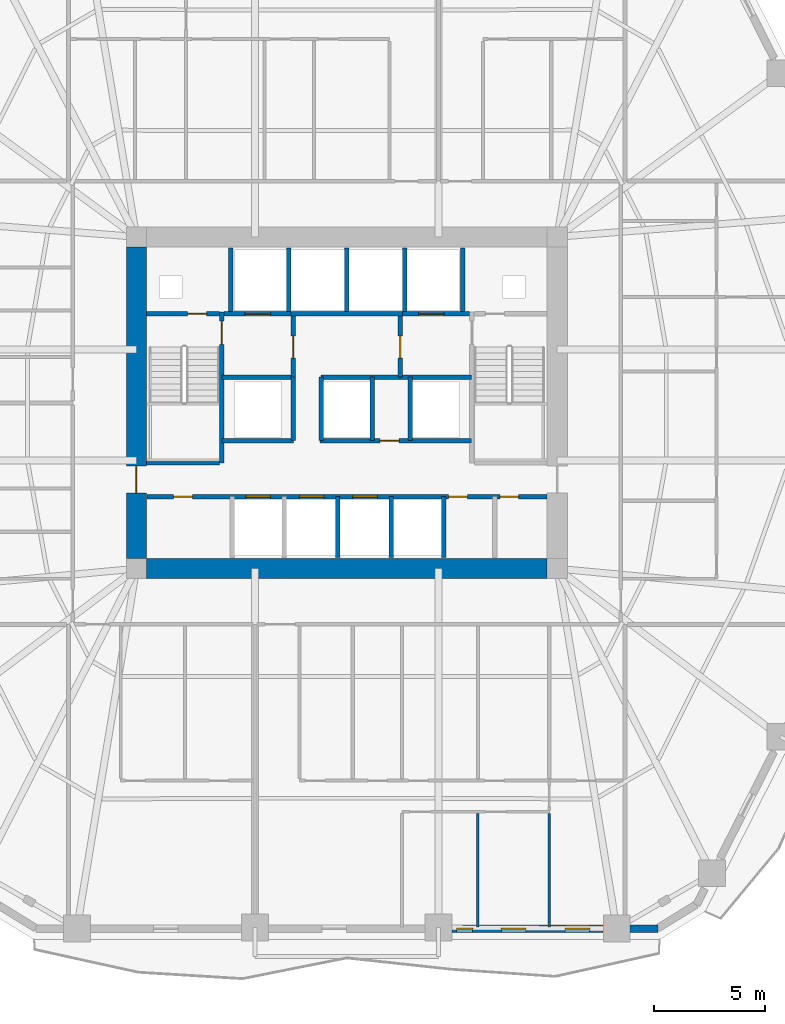
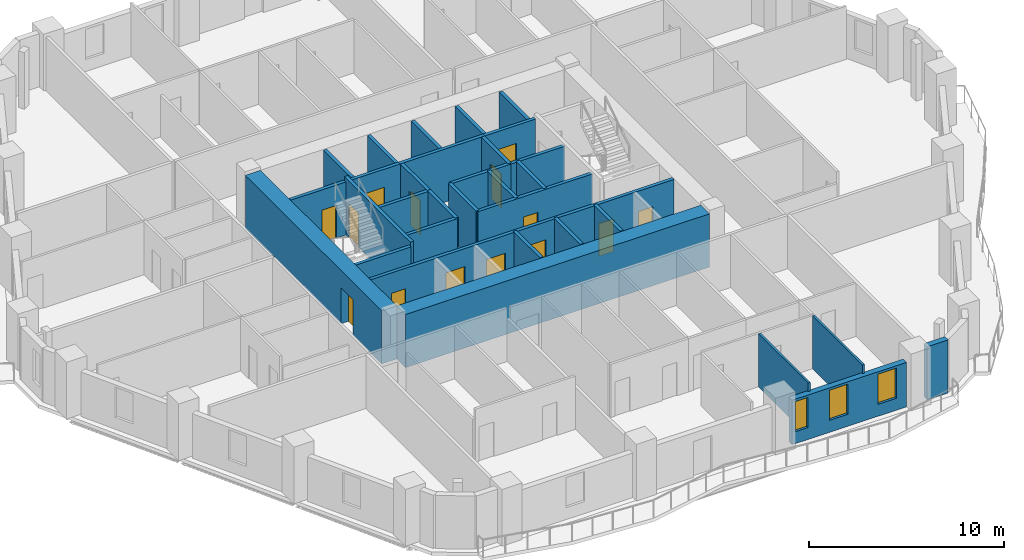
# One storey, part 5 of 12: 32 walls, 14 doors, 3 windows, 17 openings.
"""IFC4 building model written with IfcOpenShell, lengths in metres."""

from ifc_helpers import new_model, si_unit, direction, frame, frame_2d, origin, place, context, subcontext, project, spatial, rectangle, extrude, material, layer, layer_set, type_object, element, fill, save


model = new_model("IFC4")

# Units and contexts
model_context = context("Model", 3, precision=1e-05, world=origin(), true_north=direction((0.0, 1.0)))
body_context = subcontext(model_context, "Body", "Model", "MODEL_VIEW")
ifc_project = project(units=[si_unit("LENGTHUNIT", "METRE"), si_unit("AREAUNIT", "SQUARE_METRE"), si_unit("VOLUMEUNIT", "CUBIC_METRE"), si_unit("PLANEANGLEUNIT", "RADIAN"), si_unit("MASSUNIT", "GRAM", prefix="KILO")], contexts=[model_context])

# Site, building, storey
site_placement = place(None, origin())
site = spatial("IfcSite", under=ifc_project, at=site_placement, CompositionType="ELEMENT")
building_placement = place(site_placement, origin())
building = spatial("IfcBuilding", under=site, at=building_placement, Name="Cinnabar Lancet Tower", CompositionType="ELEMENT")
storey_placement = place(building_placement, frame((0.0, 0.0, 32.0)))
storey = spatial("IfcBuildingStorey", under=building, at=storey_placement, Name="L07", CompositionType="ELEMENT", Elevation=32.0)

# Wall
ifc_material_1 = material(Name="Autoclaved aerated concrete blockwork", Category="masonry")
ifc_layer_1 = layer(ifc_material_1, 0.199951171875)
ifc_layer_set_1 = layer_set([ifc_layer_1], Name="Autoclaved aerated concrete blockwork")
wall_type_1 = type_object("IfcWallType", Name="ARC-WL-SHAFT-200", PredefinedType="PLUMBINGWALL", material=ifc_layer_set_1)
wall_1_placement = place(storey_placement, frame((23.405029296875, 23.199951171875, 0.0), z_axis=(0.0, 0.0, 1.0), x_axis=(1.0, 0.0, 0.0)))
element("IfcWall", 1, at=wall_1_placement, inside=storey, type_object=wall_type_1, Name="CW-ST1S-L07", PredefinedType="PLUMBINGWALL", context=body_context, shape_type="SweptSolid", body=[
    extrude(rectangle(XDim=3.27001953125, YDim=0.199951171875, at=frame_2d((1.635009765625, 0.0))), origin(), (0.0, 0.0, 1.0), 3.330078125),
])

# Wall, opening, door
wall_2_placement = place(storey_placement, frame((23.405029296875, 29.89990234375, 0.0), z_axis=(0.0, 0.0, 1.0), x_axis=(1.0, 0.0, 0.0)))
wall_2 = element("IfcWall", 2, at=wall_2_placement, inside=storey, type_object=wall_type_1, Name="CW-NSH-W-L07", PredefinedType="PLUMBINGWALL", context=body_context, shape_type="SweptSolid", body=[
    extrude(rectangle(XDim=3.27001953125, YDim=0.199951171875, at=frame_2d((1.635009765625, 0.0))), origin(), (0.0, 0.0, 1.0), 3.330078125),
])
opening_1_placement = place(wall_2_placement, frame((1.85009765625, 0.0, 0.0)))
opening_1 = element("IfcOpeningElement", 3, at=opening_1_placement, cuts=wall_2, Name="Opening PD-02", PredefinedType="OPENING", context=body_context, shape_type="SweptSolid", body=[
    extrude(rectangle(XDim=0.85009765625, YDim=2.050048828125, at=frame_2d((0.425048828125, 1.02490234375))), frame((0.0, 0.10986328125, 0.0), z_axis=(0.0, -1.0, 0.0), x_axis=(1.0, 0.0, 0.0)), (0.0, 0.0, 1.0), 0.219970703125),
])
ifc_material_2 = material(Name="Fire-rated steel riser access door", Category="steel")
door_type_1 = type_object("IfcDoorType", Name="ARC-DR-RISER", OperationType="NOTDEFINED", PredefinedType="DOOR", material=ifc_material_2)
door_1_placement = place(opening_1_placement, origin())
door_1 = element("IfcDoor", 4, at=door_1_placement, inside=storey, type_object=door_type_1, Name="L07 West Riser Access Door", OperationType="SINGLE_SWING_LEFT", OverallHeight=2.050048828125, OverallWidth=0.85009765625, PredefinedType="DOOR", context=body_context, shape_type="SweptSolid", body=[
    extrude(rectangle(XDim=0.85009765625, YDim=2.050048828125, at=frame_2d((0.425048828125, 1.02490234375))), frame((0.0, 0.02490234375, 0.0), z_axis=(0.0, -1.0, 0.0), x_axis=(1.0, 0.0, 0.0)), (0.0, 0.0, 1.0), 0.050048828125),
])
fill(opening_1, door_1)

wall_3_placement = place(storey_placement, frame((26.885009765625, 29.89990234375, 0.0), z_axis=(0.0, 0.0, 1.0), x_axis=(1.0, 0.0, 0.0)))
wall_3 = element("IfcWall", 5, at=wall_3_placement, inside=storey, type_object=wall_type_1, Name="CW-FL1-L07", PredefinedType="PLUMBINGWALL", context=body_context, shape_type="SweptSolid", body=[
    extrude(rectangle(XDim=3.014892578125, YDim=0.199951171875, at=frame_2d((1.50732421875, 0.0))), origin(), (0.0, 0.0, 1.0), 3.330078125),
])
opening_2_placement = place(wall_3_placement, frame((0.93994140625, 0.0, 0.0)))
opening_2 = element("IfcOpeningElement", 6, at=opening_2_placement, cuts=wall_3, Name="Opening LD-02", PredefinedType="OPENING", context=body_context, shape_type="SweptSolid", body=[
    extrude(rectangle(XDim=1.14990234375, YDim=2.199951171875, at=frame_2d((0.574951171875, 1.10009765625))), frame((0.0, 0.10986328125, 0.0), z_axis=(0.0, -1.0, 0.0), x_axis=(1.0, 0.0, 0.0)), (0.0, 0.0, 1.0), 0.219970703125),
])
ifc_material_3 = material(Name="Fire-rated stainless steel firefighting lift landing door", Category="steel")
door_type_2 = type_object("IfcDoorType", Name="ARC-DR-LD-FIRE", OperationType="NOTDEFINED", PredefinedType="DOOR", material=ifc_material_3)
door_2_placement = place(opening_2_placement, origin())
door_2 = element("IfcDoor", 7, at=door_2_placement, inside=storey, type_object=door_type_2, Name="L07 Firefighting Lift FL-1 Landing Door", OperationType="DOUBLE_DOOR_SLIDING", OverallHeight=2.199951171875, OverallWidth=1.14990234375, PredefinedType="DOOR", context=body_context, shape_type="SweptSolid", body=[
    extrude(rectangle(XDim=1.14990234375, YDim=2.199951171875, at=frame_2d((0.574951171875, 1.10009765625))), frame((0.0, 0.02490234375, 0.0), z_axis=(0.0, -1.0, 0.0), x_axis=(1.0, 0.0, 0.0)), (0.0, 0.0, 1.0), 0.050048828125),
])
fill(opening_2, door_2)

# Wall
wall_4_placement = place(storey_placement, frame((29.89990234375, 29.89990234375, 0.0), z_axis=(0.0, 0.0, 1.0), x_axis=(1.0, 0.0, 0.0)))
element("IfcWall", 8, at=wall_4_placement, inside=storey, type_object=wall_type_1, Name="CW-PL78-L07", PredefinedType="PLUMBINGWALL", context=body_context, shape_type="SweptSolid", body=[
    extrude(rectangle(XDim=5.0, YDim=0.199951171875, at=frame_2d((2.5, 0.0))), origin(), (0.0, 0.0, 1.0), 3.330078125),
])

# Wall, opening, door
wall_5_placement = place(storey_placement, frame((34.89990234375, 29.89990234375, 0.0), z_axis=(0.0, 0.0, 1.0), x_axis=(1.0, 0.0, 0.0)))
wall_5 = element("IfcWall", 9, at=wall_5_placement, inside=storey, type_object=wall_type_1, Name="CW-FL2-L07", PredefinedType="PLUMBINGWALL", context=body_context, shape_type="SweptSolid", body=[
    extrude(rectangle(XDim=3.01513671875, YDim=0.199951171875, at=frame_2d((1.507568359375, 0.0))), origin(), (0.0, 0.0, 1.0), 3.330078125),
])
opening_3_placement = place(wall_5_placement, frame((0.72509765625, 0.0, 0.0)))
opening_3 = element("IfcOpeningElement", 10, at=opening_3_placement, cuts=wall_5, Name="Opening LD-02", PredefinedType="OPENING", context=body_context, shape_type="SweptSolid", body=[
    extrude(rectangle(XDim=1.14990234375, YDim=2.199951171875, at=frame_2d((0.574951171875, 1.10009765625))), frame((0.0, 0.10986328125, 0.0), z_axis=(0.0, -1.0, 0.0), x_axis=(1.0, 0.0, 0.0)), (0.0, 0.0, 1.0), 0.219970703125),
])
door_3_placement = place(opening_3_placement, origin())
door_3 = element("IfcDoor", 11, at=door_3_placement, inside=storey, type_object=door_type_2, Name="L07 Firefighting Lift FL-2 Landing Door", OperationType="DOUBLE_DOOR_SLIDING", OverallHeight=2.199951171875, OverallWidth=1.14990234375, PredefinedType="DOOR", context=body_context, shape_type="SweptSolid", body=[
    extrude(rectangle(XDim=1.14990234375, YDim=2.199951171875, at=frame_2d((0.574951171875, 1.10009765625))), frame((0.0, 0.02490234375, 0.0), z_axis=(0.0, -1.0, 0.0), x_axis=(1.0, 0.0, 0.0)), (0.0, 0.0, 1.0), 0.050048828125),
])
fill(opening_3, door_3)

# Walls
for number, where, z_axis, x_axis, name in (
    (12, (27.199951171875, 30.0, 0.0), (0.0, 0.0, 1.0), (0.0, 1.0, 0.0), "CW-NSH-D1-L07"),
    (13, (29.800048828125, 30.0, 0.0), (0.0, 0.0, 1.0), (0.0, 1.0, 0.0), "CW-NSH-D2-L07"),
    (14, (32.39990234375, 30.0, 0.0), (0.0, 0.0, 1.0), (0.0, 1.0, 0.0), "CW-NSH-D3-L07"),
    (15, (35.0, 30.0, 0.0), (0.0, 0.0, 1.0), (0.0, 1.0, 0.0), "CW-NSH-D4-L07"),
    (16, (37.60009765625, 30.0, 0.0), (0.0, 0.0, 1.0), (0.0, 1.0, 0.0), "CW-NSH-D5-L07"),
):
    element("IfcWall", number, at=place(storey_placement, frame(where, z_axis=z_axis, x_axis=x_axis)), inside=storey, type_object=wall_type_1, Name=name, PredefinedType="PLUMBINGWALL", context=body_context, shape_type="SweptSolid", body=[
        extrude(rectangle(XDim=2.85009765625, YDim=0.199951171875, at=frame_2d((1.425048828125, 0.0))), origin(), (0.0, 0.0, 1.0), 3.330078125),
    ])

# Wall, opening, door
wall_6_placement = place(storey_placement, frame((30.0, 27.050048828125, 0.0), z_axis=(0.0, 0.0, 1.0), x_axis=(0.0, 1.0, 0.0)))
wall_6 = element("IfcWall", 17, at=wall_6_placement, inside=storey, type_object=wall_type_1, Name="CW-FF1E-L07", PredefinedType="PLUMBINGWALL", context=body_context, shape_type="SweptSolid", body=[
    extrude(rectangle(XDim=2.75, YDim=0.199951171875, at=frame_2d((1.375, 0.0))), origin(), (0.0, 0.0, 1.0), 3.330078125),
])
opening_4_placement = place(wall_6_placement, frame((0.85009765625, 0.0, 0.0)))
opening_4 = element("IfcOpeningElement", 18, at=opening_4_placement, cuts=wall_6, Name="Opening FD-01", PredefinedType="OPENING", context=body_context, shape_type="SweptSolid", body=[
    extrude(rectangle(XDim=1.0, YDim=2.14990234375, at=frame_2d((0.5, 1.074951171875))), frame((0.0, 0.10986328125, 0.0), z_axis=(0.0, -1.0, 0.0), x_axis=(1.0, 0.0, 0.0)), (0.0, 0.0, 1.0), 0.219970703125),
])
ifc_material_4 = material(Name="Fire-rated timber-core lobby door", Category="wood")
door_type_3 = type_object("IfcDoorType", Name="ARC-DR-FFAL", OperationType="NOTDEFINED", PredefinedType="DOOR", material=ifc_material_4)
door_4_placement = place(opening_4_placement, origin())
door_4 = element("IfcDoor", 19, at=door_4_placement, inside=storey, type_object=door_type_3, Name="L07 FFAL-1 Lobby Fire Door", OperationType="SINGLE_SWING_RIGHT", OverallHeight=2.14990234375, OverallWidth=1.0, PredefinedType="DOOR", context=body_context, shape_type="SweptSolid", body=[
    extrude(rectangle(XDim=1.0, YDim=2.14990234375, at=frame_2d((0.5, 1.074951171875))), frame((0.0, 0.02490234375, 0.0), z_axis=(0.0, -1.0, 0.0), x_axis=(1.0, 0.0, 0.0)), (0.0, 0.0, 1.0), 0.050048828125),
])
fill(opening_4, door_4)

# Wall
wall_7_placement = place(storey_placement, frame((26.800048828125, 27.050048828125, 0.0), z_axis=(0.0, 0.0, 1.0), x_axis=(1.0, 0.0, 0.0)))
element("IfcWall", 20, at=wall_7_placement, inside=storey, type_object=wall_type_1, Name="CW-FF1S-L07", PredefinedType="PLUMBINGWALL", context=body_context, shape_type="SweptSolid", body=[
    extrude(rectangle(XDim=3.199951171875, YDim=0.199951171875, at=frame_2d((1.60009765625, 0.0))), origin(), (0.0, 0.0, 1.0), 3.330078125),
])

# Wall, opening, door
wall_8_placement = place(storey_placement, frame((34.800048828125, 27.050048828125, 0.0), z_axis=(0.0, 0.0, 1.0), x_axis=(0.0, 1.0, 0.0)))
wall_8 = element("IfcWall", 21, at=wall_8_placement, inside=storey, type_object=wall_type_1, Name="CW-FF2W-L07", PredefinedType="PLUMBINGWALL", context=body_context, shape_type="SweptSolid", body=[
    extrude(rectangle(XDim=2.75, YDim=0.199951171875, at=frame_2d((1.375, 0.0))), origin(), (0.0, 0.0, 1.0), 3.330078125),
])
opening_5_placement = place(wall_8_placement, frame((0.85009765625, 0.0, 0.0)))
opening_5 = element("IfcOpeningElement", 22, at=opening_5_placement, cuts=wall_8, Name="Opening FD-01", PredefinedType="OPENING", context=body_context, shape_type="SweptSolid", body=[
    extrude(rectangle(XDim=1.0, YDim=2.14990234375, at=frame_2d((0.5, 1.074951171875))), frame((0.0, 0.10986328125, 0.0), z_axis=(0.0, -1.0, 0.0), x_axis=(1.0, 0.0, 0.0)), (0.0, 0.0, 1.0), 0.219970703125),
])
door_5_placement = place(opening_5_placement, origin())
door_5 = element("IfcDoor", 23, at=door_5_placement, inside=storey, type_object=door_type_3, Name="L07 FFAL-2 Lobby Fire Door", OperationType="SINGLE_SWING_LEFT", OverallHeight=2.14990234375, OverallWidth=1.0, PredefinedType="DOOR", context=body_context, shape_type="SweptSolid", body=[
    extrude(rectangle(XDim=1.0, YDim=2.14990234375, at=frame_2d((0.5, 1.074951171875))), frame((0.0, 0.02490234375, 0.0), z_axis=(0.0, -1.0, 0.0), x_axis=(1.0, 0.0, 0.0)), (0.0, 0.0, 1.0), 0.050048828125),
])
fill(opening_5, door_5)

# Walls
for number, where, z_axis, x_axis, name in (
    (24, (34.800048828125, 27.050048828125, 0.0), (0.0, 0.0, 1.0), (1.0, 0.0, 0.0), "CW-FF2S-L07"),
    (25, (26.800048828125, 24.199951171875, 0.0), (0.0, 0.0, 1.0), (1.0, 0.0, 0.0), "CW-PL5S-L07"),
):
    element("IfcWall", number, at=place(storey_placement, frame(where, z_axis=z_axis, x_axis=x_axis)), inside=storey, type_object=wall_type_1, Name=name, PredefinedType="PLUMBINGWALL", context=body_context, shape_type="SweptSolid", body=[
        extrude(rectangle(XDim=3.199951171875, YDim=0.199951171875, at=frame_2d((1.60009765625, 0.0))), origin(), (0.0, 0.0, 1.0), 3.330078125),
    ])
wall_9_placement = place(storey_placement, frame((30.0, 24.199951171875, 0.0), z_axis=(0.0, 0.0, 1.0), x_axis=(0.0, 1.0, 0.0)))
element("IfcWall", 26, at=wall_9_placement, inside=storey, type_object=wall_type_1, Name="CW-PL5E-L07", PredefinedType="PLUMBINGWALL", context=body_context, shape_type="SweptSolid", body=[
    extrude(rectangle(XDim=2.85009765625, YDim=0.199951171875, at=frame_2d((1.425048828125, 0.0))), origin(), (0.0, 0.0, 1.0), 3.330078125),
])

# Wall, opening, door
wall_10_placement = place(storey_placement, frame((31.199951171875, 24.199951171875, 0.0), z_axis=(0.0, 0.0, 1.0), x_axis=(1.0, 0.0, 0.0)))
wall_10 = element("IfcWall", 27, at=wall_10_placement, inside=storey, type_object=wall_type_1, Name="CW-PL96S-L07", PredefinedType="PLUMBINGWALL", context=body_context, shape_type="SweptSolid", body=[
    extrude(rectangle(XDim=6.800048828125, YDim=0.199951171875, at=frame_2d((3.39990234375, 0.0))), origin(), (0.0, 0.0, 1.0), 3.330078125),
])
opening_6_placement = place(wall_10_placement, frame((2.699951171875, 0.0, 0.0)))
opening_6 = element("IfcOpeningElement", 28, at=opening_6_placement, cuts=wall_10, Name="Opening PD-02", PredefinedType="OPENING", context=body_context, shape_type="SweptSolid", body=[
    extrude(rectangle(XDim=0.85009765625, YDim=2.050048828125, at=frame_2d((0.425048828125, 1.02490234375))), frame((0.0, 0.10986328125, 0.0), z_axis=(0.0, -1.0, 0.0), x_axis=(1.0, 0.0, 0.0)), (0.0, 0.0, 1.0), 0.219970703125),
])
door_6_placement = place(opening_6_placement, origin())
door_6 = element("IfcDoor", 29, at=door_6_placement, inside=storey, type_object=door_type_1, Name="L07 BMS Closet Door", OperationType="SINGLE_SWING_LEFT", OverallHeight=2.050048828125, OverallWidth=0.85009765625, PredefinedType="DOOR", context=body_context, shape_type="SweptSolid", body=[
    extrude(rectangle(XDim=0.85009765625, YDim=2.050048828125, at=frame_2d((0.425048828125, 1.02490234375))), frame((0.0, 0.02490234375, 0.0), z_axis=(0.0, -1.0, 0.0), x_axis=(1.0, 0.0, 0.0)), (0.0, 0.0, 1.0), 0.050048828125),
])
fill(opening_6, door_6)

# Walls
for number, where, z_axis, x_axis, name in (
    (30, (31.25, 24.199951171875, 0.0), (0.0, 0.0, 1.0), (0.0, 1.0, 0.0), "CW-PL9W-L07"),
    (31, (33.550048828125, 24.199951171875, 0.0), (0.0, 0.0, 1.0), (0.0, 1.0, 0.0), "CW-PL9E-L07"),
    (32, (35.25, 24.199951171875, 0.0), (0.0, 0.0, 1.0), (0.0, 1.0, 0.0), "CW-PL6W-L07"),
):
    element("IfcWall", number, at=place(storey_placement, frame(where, z_axis=z_axis, x_axis=x_axis)), inside=storey, type_object=wall_type_1, Name=name, PredefinedType="PLUMBINGWALL", context=body_context, shape_type="SweptSolid", body=[
        extrude(rectangle(XDim=2.85009765625, YDim=0.199951171875, at=frame_2d((1.425048828125, 0.0))), origin(), (0.0, 0.0, 1.0), 3.330078125),
    ])
wall_11_placement = place(storey_placement, frame((31.25, 27.050048828125, 0.0), z_axis=(0.0, 0.0, 1.0), x_axis=(1.0, 0.0, 0.0)))
element("IfcWall", 33, at=wall_11_placement, inside=storey, type_object=wall_type_1, Name="CW-PL96N-L07", PredefinedType="PLUMBINGWALL", context=body_context, shape_type="SweptSolid", body=[
    extrude(rectangle(XDim=3.550048828125, YDim=0.199951171875, at=frame_2d((1.77490234375, 0.0))), origin(), (0.0, 0.0, 1.0), 3.330078125),
])

# Wall, openings, doors
wall_12_placement = place(storey_placement, frame((23.419921875, 21.679931640625, 0.0), z_axis=(0.0, 0.0, 1.0), x_axis=(1.0, 0.0, 0.0)))
wall_12 = element("IfcWall", 34, at=wall_12_placement, inside=storey, type_object=wall_type_1, Name="CW-SBANDN-L07", PredefinedType="PLUMBINGWALL", context=body_context, shape_type="SweptSolid", body=[
    extrude(rectangle(XDim=17.9599609375, YDim=0.199951171875, at=frame_2d((8.97998046875, 0.0))), origin(), (0.0, 0.0, 1.0), 3.330078125),
])
opening_7_placement = place(wall_12_placement, frame((4.449951171875, 0.0, 0.0)))
opening_7 = element("IfcOpeningElement", 35, at=opening_7_placement, cuts=wall_12, Name="Opening LD-01", PredefinedType="OPENING", context=body_context, shape_type="SweptSolid", body=[
    extrude(rectangle(XDim=1.10009765625, YDim=2.199951171875, at=frame_2d((0.550048828125, 1.10009765625))), frame((0.0, 0.10986328125, 0.0), z_axis=(0.0, -1.0, 0.0), x_axis=(1.0, 0.0, 0.0)), (0.0, 0.0, 1.0), 0.219970703125),
])
opening_8_placement = place(wall_12_placement, frame((6.85009765625, 0.0, 0.0)))
opening_8 = element("IfcOpeningElement", 36, at=opening_8_placement, cuts=wall_12, Name="Opening LD-01", PredefinedType="OPENING", context=body_context, shape_type="SweptSolid", body=[
    extrude(rectangle(XDim=1.10009765625, YDim=2.199951171875, at=frame_2d((0.550048828125, 1.10009765625))), frame((0.0, 0.10986328125, 0.0), z_axis=(0.0, -1.0, 0.0), x_axis=(1.0, 0.0, 0.0)), (0.0, 0.0, 1.0), 0.219970703125),
])
opening_9_placement = place(wall_12_placement, frame((9.25, 0.0, 0.0)))
opening_9 = element("IfcOpeningElement", 37, at=opening_9_placement, cuts=wall_12, Name="Opening LD-01", PredefinedType="OPENING", context=body_context, shape_type="SweptSolid", body=[
    extrude(rectangle(XDim=1.10009765625, YDim=2.199951171875, at=frame_2d((0.550048828125, 1.10009765625))), frame((0.0, 0.10986328125, 0.0), z_axis=(0.0, -1.0, 0.0), x_axis=(1.0, 0.0, 0.0)), (0.0, 0.0, 1.0), 0.219970703125),
])
opening_10_placement = place(wall_12_placement, frame((1.199951171875, 0.0, 0.0)))
opening_10 = element("IfcOpeningElement", 38, at=opening_10_placement, cuts=wall_12, Name="Opening PD-02", PredefinedType="OPENING", context=body_context, shape_type="SweptSolid", body=[
    extrude(rectangle(XDim=0.85009765625, YDim=2.050048828125, at=frame_2d((0.425048828125, 1.02490234375))), frame((0.0, 0.10986328125, 0.0), z_axis=(0.0, -1.0, 0.0), x_axis=(1.0, 0.0, 0.0)), (0.0, 0.0, 1.0), 0.219970703125),
])
opening_11_placement = place(wall_12_placement, frame((13.550048828125, 0.0, 0.0)))
opening_11 = element("IfcOpeningElement", 39, at=opening_11_placement, cuts=wall_12, Name="Opening PD-02", PredefinedType="OPENING", context=body_context, shape_type="SweptSolid", body=[
    extrude(rectangle(XDim=0.85009765625, YDim=2.050048828125, at=frame_2d((0.425048828125, 1.02490234375))), frame((0.0, 0.10986328125, 0.0), z_axis=(0.0, -1.0, 0.0), x_axis=(1.0, 0.0, 0.0)), (0.0, 0.0, 1.0), 0.219970703125),
])
opening_12_placement = place(wall_12_placement, frame((15.85009765625, 0.0, 0.0)))
opening_12 = element("IfcOpeningElement", 40, at=opening_12_placement, cuts=wall_12, Name="Opening PD-02", PredefinedType="OPENING", context=body_context, shape_type="SweptSolid", body=[
    extrude(rectangle(XDim=0.85009765625, YDim=2.050048828125, at=frame_2d((0.425048828125, 1.02490234375))), frame((0.0, 0.10986328125, 0.0), z_axis=(0.0, -1.0, 0.0), x_axis=(1.0, 0.0, 0.0)), (0.0, 0.0, 1.0), 0.219970703125),
])
ifc_material_5 = material(Name="Brushed stainless steel sliding lift door", Category="steel")
door_type_4 = type_object("IfcDoorType", Name="ARC-DR-LD-PASS", OperationType="NOTDEFINED", PredefinedType="DOOR", material=ifc_material_5)
door_7_placement = place(opening_7_placement, origin())
door_7 = element("IfcDoor", 41, at=door_7_placement, inside=storey, type_object=door_type_4, Name="L07 Lift PL-1 Landing Door", OperationType="DOUBLE_DOOR_SLIDING", OverallHeight=2.199951171875, OverallWidth=1.10009765625, PredefinedType="DOOR", context=body_context, shape_type="SweptSolid", body=[
    extrude(rectangle(XDim=1.10009765625, YDim=2.199951171875, at=frame_2d((0.550048828125, 1.10009765625))), frame((0.0, 0.02490234375, 0.0), z_axis=(0.0, -1.0, 0.0), x_axis=(1.0, 0.0, 0.0)), (0.0, 0.0, 1.0), 0.050048828125),
])
fill(opening_7, door_7)
door_8_placement = place(opening_8_placement, origin())
door_8 = element("IfcDoor", 42, at=door_8_placement, inside=storey, type_object=door_type_4, Name="L07 Lift PL-2 Landing Door", OperationType="DOUBLE_DOOR_SLIDING", OverallHeight=2.199951171875, OverallWidth=1.10009765625, PredefinedType="DOOR", context=body_context, shape_type="SweptSolid", body=[
    extrude(rectangle(XDim=1.10009765625, YDim=2.199951171875, at=frame_2d((0.550048828125, 1.10009765625))), frame((0.0, 0.02490234375, 0.0), z_axis=(0.0, -1.0, 0.0), x_axis=(1.0, 0.0, 0.0)), (0.0, 0.0, 1.0), 0.050048828125),
])
fill(opening_8, door_8)
door_9_placement = place(opening_9_placement, origin())
door_9 = element("IfcDoor", 43, at=door_9_placement, inside=storey, type_object=door_type_4, Name="L07 Lift PL-3 Landing Door", OperationType="DOUBLE_DOOR_SLIDING", OverallHeight=2.199951171875, OverallWidth=1.10009765625, PredefinedType="DOOR", context=body_context, shape_type="SweptSolid", body=[
    extrude(rectangle(XDim=1.10009765625, YDim=2.199951171875, at=frame_2d((0.550048828125, 1.10009765625))), frame((0.0, 0.02490234375, 0.0), z_axis=(0.0, -1.0, 0.0), x_axis=(1.0, 0.0, 0.0)), (0.0, 0.0, 1.0), 0.050048828125),
])
fill(opening_9, door_9)
door_10_placement = place(opening_10_placement, origin())
door_10 = element("IfcDoor", 44, at=door_10_placement, inside=storey, type_object=door_type_1, Name="DR-L07-SW1", OperationType="SINGLE_SWING_LEFT", OverallHeight=2.050048828125, OverallWidth=0.85009765625, PredefinedType="DOOR", context=body_context, shape_type="SweptSolid", body=[
    extrude(rectangle(XDim=0.85009765625, YDim=2.050048828125, at=frame_2d((0.425048828125, 1.02490234375))), frame((0.0, 0.02490234375, 0.0), z_axis=(0.0, -1.0, 0.0), x_axis=(1.0, 0.0, 0.0)), (0.0, 0.0, 1.0), 0.050048828125),
])
fill(opening_10, door_10)
door_11_placement = place(opening_11_placement, origin())
door_11 = element("IfcDoor", 45, at=door_11_placement, inside=storey, type_object=door_type_1, Name="DR-L07-SE1", OperationType="SINGLE_SWING_LEFT", OverallHeight=2.050048828125, OverallWidth=0.85009765625, PredefinedType="DOOR", context=body_context, shape_type="SweptSolid", body=[
    extrude(rectangle(XDim=0.85009765625, YDim=2.050048828125, at=frame_2d((0.425048828125, 1.02490234375))), frame((0.0, 0.02490234375, 0.0), z_axis=(0.0, -1.0, 0.0), x_axis=(1.0, 0.0, 0.0)), (0.0, 0.0, 1.0), 0.050048828125),
])
fill(opening_11, door_11)
door_12_placement = place(opening_12_placement, origin())
door_12 = element("IfcDoor", 46, at=door_12_placement, inside=storey, type_object=door_type_1, Name="DR-L07-SE2", OperationType="SINGLE_SWING_RIGHT", OverallHeight=2.050048828125, OverallWidth=0.85009765625, PredefinedType="DOOR", context=body_context, shape_type="SweptSolid", body=[
    extrude(rectangle(XDim=0.85009765625, YDim=2.050048828125, at=frame_2d((0.425048828125, 1.02490234375))), frame((0.0, 0.02490234375, 0.0), z_axis=(0.0, -1.0, 0.0), x_axis=(1.0, 0.0, 0.0)), (0.0, 0.0, 1.0), 0.050048828125),
])
fill(opening_12, door_12)

# Walls
for number, where, z_axis, x_axis, name in (
    (47, (32.0, 18.949951171875, 0.0), (0.0, 0.0, 1.0), (0.0, 1.0, 0.0), "CW-SB-3200-L07"),
    (48, (34.39990234375, 18.949951171875, 0.0), (0.0, 0.0, 1.0), (0.0, 1.0, 0.0), "CW-SB-3440-L07"),
    (49, (36.75, 18.949951171875, 0.0), (0.0, 0.0, 1.0), (0.0, 1.0, 0.0), "CW-SB-3675-L07"),
):
    element("IfcWall", number, at=place(storey_placement, frame(where, z_axis=z_axis, x_axis=x_axis)), inside=storey, type_object=wall_type_1, Name=name, PredefinedType="PLUMBINGWALL", context=body_context, shape_type="SweptSolid", body=[
        extrude(rectangle(XDim=2.72998046875, YDim=0.199951171875, at=frame_2d((1.364990234375, 0.0))), origin(), (0.0, 0.0, 1.0), 3.330078125),
    ])
ifc_material_6 = material(Name="Gypsum plasterboard stud partition", Category="gypsum")
ifc_layer_2 = layer(ifc_material_6, 0.125)
ifc_layer_set_2 = layer_set([ifc_layer_2], Name="Gypsum plasterboard stud partition")
wall_type_2 = type_object("IfcWallType", Name="ARC-WL-UNIT-125", PredefinedType="PARTITIONING", material=ifc_layer_set_2)
for number, where, z_axis, x_axis, name in (
    (50, (38.284912109375, 2.364990234375, 0.0), (0.0, 0.0, 1.0), (0.0, 1.0, 0.0), "UW-L07-S02-MB2W"),
    (51, (41.492919921875, 2.364990234375, 0.0), (0.0, 0.0, 1.0), (0.0, 1.0, 0.0), "UW-L07-S02-B23W"),
):
    element("IfcWall", number, at=place(storey_placement, frame(where, z_axis=z_axis, x_axis=x_axis)), inside=storey, type_object=wall_type_2, Name=name, PredefinedType="PARTITIONING", context=body_context, shape_type="SweptSolid", body=[
        extrude(rectangle(XDim=5.10302734375, YDim=0.125, at=frame_2d((2.551513671875, 0.0))), origin(), (0.0, 0.0, 1.0), 3.330078125),
    ])

# Wall, openings, windows
ifc_material_7 = material(Name="Cinnabar red clay brick", Category="masonry")
ifc_layer_3 = layer(ifc_material_7, 0.340087890625)
ifc_layer_set_3 = layer_set([ifc_layer_3], Name="Cinnabar red clay brick")
wall_type_3 = type_object("IfcWallType", Name="ENV-WL-BRK-RED-340", PredefinedType="STANDARD", material=ifc_layer_set_3)
wall_13_placement = place(storey_placement, frame((37.1259765625, 2.280029296875, 0.0), z_axis=(0.0, 0.0, 1.0), x_axis=(1.0, 0.0, 0.0)))
wall_13 = element("IfcWall", 52, at=wall_13_placement, inside=storey, type_object=wall_type_3, Name="L07 Face 1 Masonry Bay Wall 4", PredefinedType="STANDARD", context=body_context, shape_type="SweptSolid", body=[
    extrude(rectangle(XDim=6.787109375, YDim=0.340087890625, at=frame_2d((3.3935546875, 0.0))), origin(), (0.0, 0.0, 1.0), 2.787109375),
])
opening_13_placement = place(wall_13_placement, frame((2.212890625, 0.0, 0.75)))
opening_13 = element("IfcOpeningElement", 53, at=opening_13_placement, cuts=wall_13, Name="Opening WN-04", PredefinedType="OPENING", context=body_context, shape_type="SweptSolid", body=[
    extrude(rectangle(XDim=1.10009765625, YDim=1.886962890625, at=frame_2d((0.550048828125, 0.943359375))), frame((0.0, 0.179931640625, 0.0), z_axis=(0.0, -1.0, 0.0), x_axis=(1.0, 0.0, 0.0)), (0.0, 0.0, 1.0), 0.360107421875),
])
opening_14_placement = place(wall_13_placement, frame((5.0830078125, 0.0, 0.75)))
opening_14 = element("IfcOpeningElement", 54, at=opening_14_placement, cuts=wall_13, Name="Opening WN-04", PredefinedType="OPENING", context=body_context, shape_type="SweptSolid", body=[
    extrude(rectangle(XDim=1.10009765625, YDim=1.886962890625, at=frame_2d((0.550048828125, 0.943359375))), frame((0.0, 0.179931640625, 0.0), z_axis=(0.0, -1.0, 0.0), x_axis=(1.0, 0.0, 0.0)), (0.0, 0.0, 1.0), 0.360107421875),
])
opening_15_placement = place(wall_13_placement, frame((0.2099609375, 0.0, 0.75)))
opening_15 = element("IfcOpeningElement", 55, at=opening_15_placement, cuts=wall_13, Name="Opening WN-04", PredefinedType="OPENING", context=body_context, shape_type="SweptSolid", body=[
    extrude(rectangle(XDim=0.716064453125, YDim=1.886962890625, at=frame_2d((0.35791015625, 0.943359375))), frame((0.0, 0.179931640625, 0.0), z_axis=(0.0, -1.0, 0.0), x_axis=(1.0, 0.0, 0.0)), (0.0, 0.0, 1.0), 0.360107421875),
])
ifc_material_8 = material(Name="Thermally broken bronze-anodized aluminium tall lancet window", Category="aluminium")
window_type = type_object("IfcWindowType", Name="ENV-WN-LANCET-1100", PartitioningType="SINGLE_PANEL", PredefinedType="WINDOW", material=ifc_material_8)
window_1_placement = place(opening_13_placement, origin())
window_1 = element("IfcWindow", 56, at=window_1_placement, inside=storey, type_object=window_type, Name="L07 Face 1 Gothic Lancet Window 4", OverallHeight=1.886962890625, OverallWidth=1.10009765625, PartitioningType="SINGLE_PANEL", PredefinedType="WINDOW", context=body_context, shape_type="SweptSolid", body=[
    extrude(rectangle(XDim=1.10009765625, YDim=1.886962890625, at=frame_2d((0.550048828125, 0.943359375))), frame((0.0, 0.030029296875, 0.0), z_axis=(0.0, -1.0, 0.0), x_axis=(1.0, 0.0, 0.0)), (0.0, 0.0, 1.0), 0.06005859375),
])
fill(opening_13, window_1)
window_2_placement = place(opening_14_placement, origin())
window_2 = element("IfcWindow", 57, at=window_2_placement, inside=storey, type_object=window_type, Name="L07 Split-Bay Gothic Lancet Window 8", OverallHeight=1.886962890625, OverallWidth=1.10009765625, PartitioningType="SINGLE_PANEL", PredefinedType="WINDOW", context=body_context, shape_type="SweptSolid", body=[
    extrude(rectangle(XDim=1.10009765625, YDim=1.886962890625, at=frame_2d((0.550048828125, 0.943359375))), frame((0.0, 0.030029296875, 0.0), z_axis=(0.0, -1.0, 0.0), x_axis=(1.0, 0.0, 0.0)), (0.0, 0.0, 1.0), 0.06005859375),
])
fill(opening_14, window_2)
window_3_placement = place(opening_15_placement, origin())
window_3 = element("IfcWindow", 58, at=window_3_placement, inside=storey, type_object=window_type, Name="L07 Dwelling Gothic Lancet Window 298", OverallHeight=1.886962890625, OverallWidth=0.716064453125, PartitioningType="SINGLE_PANEL", PredefinedType="WINDOW", context=body_context, shape_type="SweptSolid", body=[
    extrude(rectangle(XDim=0.716064453125, YDim=1.886962890625, at=frame_2d((0.35791015625, 0.943359375))), frame((0.0, 0.030029296875, 0.0), z_axis=(0.0, -1.0, 0.0), x_axis=(1.0, 0.0, 0.0)), (0.0, 0.0, 1.0), 0.06005859375),
])
fill(opening_15, window_3)

# Walls
wall_14_placement = place(storey_placement, frame((45.12109375, 2.280029296875, 0.0), z_axis=(0.0, 0.0, 1.0), x_axis=(1.0, 0.0, 0.0)))
element("IfcWall", 59, at=wall_14_placement, inside=storey, type_object=wall_type_3, Name="L07 Face 1 Masonry Bay Wall 5", PredefinedType="STANDARD", context=body_context, shape_type="SweptSolid", body=[
    extrude(rectangle(XDim=1.244873046875, YDim=0.340087890625, at=frame_2d((0.62255859375, 0.0))), origin(), (0.0, 0.0, 1.0), 3.330078125),
])
ifc_material_9 = material(Name="Concrete C80/95", Category="concrete")
ifc_layer_4 = layer(ifc_material_9, 0.89990234375)
ifc_layer_set_4 = layer_set([ifc_layer_4], Name="Concrete C80/95")
wall_type_4 = type_object("IfcWallType", Name="STR-WL-CORE-900", PredefinedType="SHEAR", material=ifc_layer_set_4)
wall_15_placement = place(storey_placement, frame((23.39990234375, 18.449951171875, 0.0), z_axis=(0.0, 0.0, 1.0), x_axis=(1.0, 0.0, 0.0)))
element("IfcWall", 60, at=wall_15_placement, inside=storey, type_object=wall_type_4, Name="L07 Core Shear Wall S", PredefinedType="SHEAR", context=body_context, shape_type="SweptSolid", body=[
    extrude(rectangle(XDim=18.0, YDim=0.89990234375, at=frame_2d((9.0, 0.0))), origin(), (0.0, 0.0, 1.0), 3.330078125),
])

# Wall, opening, door
wall_16_placement = place(storey_placement, frame((22.949951171875, 18.89990234375, 0.0), z_axis=(0.0, 0.0, 1.0), x_axis=(0.0, 1.0, 0.0)))
wall_16 = element("IfcWall", 61, at=wall_16_placement, inside=storey, type_object=wall_type_4, Name="L07 Core Shear Wall W", PredefinedType="SHEAR", context=body_context, shape_type="SweptSolid", body=[
    extrude(rectangle(XDim=14.0, YDim=0.89990234375, at=frame_2d((7.0, 0.0))), origin(), (0.0, 0.0, 1.0), 3.330078125),
])
opening_16_placement = place(wall_16_placement, frame((2.93994140625, 0.0, 0.0)))
opening_16 = element("IfcOpeningElement", 62, at=opening_16_placement, cuts=wall_16, Name="Opening FD-02", PredefinedType="OPENING", context=body_context, shape_type="SweptSolid", body=[
    extrude(rectangle(XDim=1.219970703125, YDim=2.25, at=frame_2d((0.60986328125, 1.125))), frame((0.0, 0.4599609375, 0.0), z_axis=(0.0, -1.0, 0.0), x_axis=(1.0, 0.0, 0.0)), (0.0, 0.0, 1.0), 0.919921875),
])
ifc_material_10 = material(Name="Fire-rated double-vision core portal door", Category="wood")
door_type_5 = type_object("IfcDoorType", Name="ARC-DR-CPORT", OperationType="NOTDEFINED", PredefinedType="DOOR", material=ifc_material_10)
door_13_placement = place(opening_16_placement, origin())
door_13 = element("IfcDoor", 63, at=door_13_placement, inside=storey, type_object=door_type_5, Name="L07 West Core Lobby Fire Door", OperationType="SINGLE_SWING_RIGHT", OverallHeight=2.25, OverallWidth=1.219970703125, PredefinedType="DOOR", context=body_context, shape_type="SweptSolid", body=[
    extrude(rectangle(XDim=1.219970703125, YDim=2.25, at=frame_2d((0.60986328125, 1.125))), frame((0.0, 0.02490234375, 0.0), z_axis=(0.0, -1.0, 0.0), x_axis=(1.0, 0.0, 0.0)), (0.0, 0.0, 1.0), 0.050048828125),
])
fill(opening_16, door_13)

ifc_material_11 = material(Name="Concrete C50/60", Category="concrete")
ifc_layer_5 = layer(ifc_material_11, 0.199951171875)
ifc_layer_set_5 = layer_set([ifc_layer_5], Name="Concrete C50/60")
wall_type_5 = type_object("IfcWallType", Name="STR-WL-STAIR-200", PredefinedType="SHEAR", material=ifc_layer_set_5)
wall_17_placement = place(storey_placement, frame((26.780029296875, 23.199951171875, 0.0), z_axis=(0.0, 0.0, 1.0), x_axis=(0.0, 1.0, 0.0)))
wall_17 = element("IfcWall", 64, at=wall_17_placement, inside=storey, type_object=wall_type_5, Name="L07 Stair ST-1 Structural Enclosure Wall", PredefinedType="SHEAR", context=body_context, shape_type="SweptSolid", body=[
    extrude(rectangle(XDim=6.780029296875, YDim=0.199951171875, at=frame_2d((3.39013671875, 0.0))), origin(), (0.0, 0.0, 1.0), 3.550048828125),
])
opening_17_placement = place(wall_17_placement, frame((5.320068359375, 0.0, 0.0)))
opening_17 = element("IfcOpeningElement", 65, at=opening_17_placement, cuts=wall_17, Name="Opening SD-01", PredefinedType="OPENING", context=body_context, shape_type="SweptSolid", body=[
    extrude(rectangle(XDim=1.050048828125, YDim=2.14990234375, at=frame_2d((0.52490234375, 1.074951171875))), frame((0.0, 0.10986328125, 0.0), z_axis=(0.0, -1.0, 0.0), x_axis=(1.0, 0.0, 0.0)), (0.0, 0.0, 1.0), 0.219970703125),
])
ifc_material_12 = material(Name="Fire-rated steel stair exit door", Category="steel")
door_type_6 = type_object("IfcDoorType", Name="ARC-DR-STAIR", OperationType="NOTDEFINED", PredefinedType="DOOR", material=ifc_material_12)
door_14_placement = place(opening_17_placement, origin())
door_14 = element("IfcDoor", 66, at=door_14_placement, inside=storey, type_object=door_type_6, Name="L07 Stair ST-1 Fire Door", OperationType="SINGLE_SWING_LEFT", OverallHeight=2.14990234375, OverallWidth=1.050048828125, PredefinedType="DOOR", context=body_context, shape_type="SweptSolid", body=[
    extrude(rectangle(XDim=1.050048828125, YDim=2.14990234375, at=frame_2d((0.52490234375, 1.074951171875))), frame((0.0, 0.02490234375, 0.0), z_axis=(0.0, -1.0, 0.0), x_axis=(1.0, 0.0, 0.0)), (0.0, 0.0, 1.0), 0.050048828125),
])
fill(opening_17, door_14)

save(model, "model.ifc")
